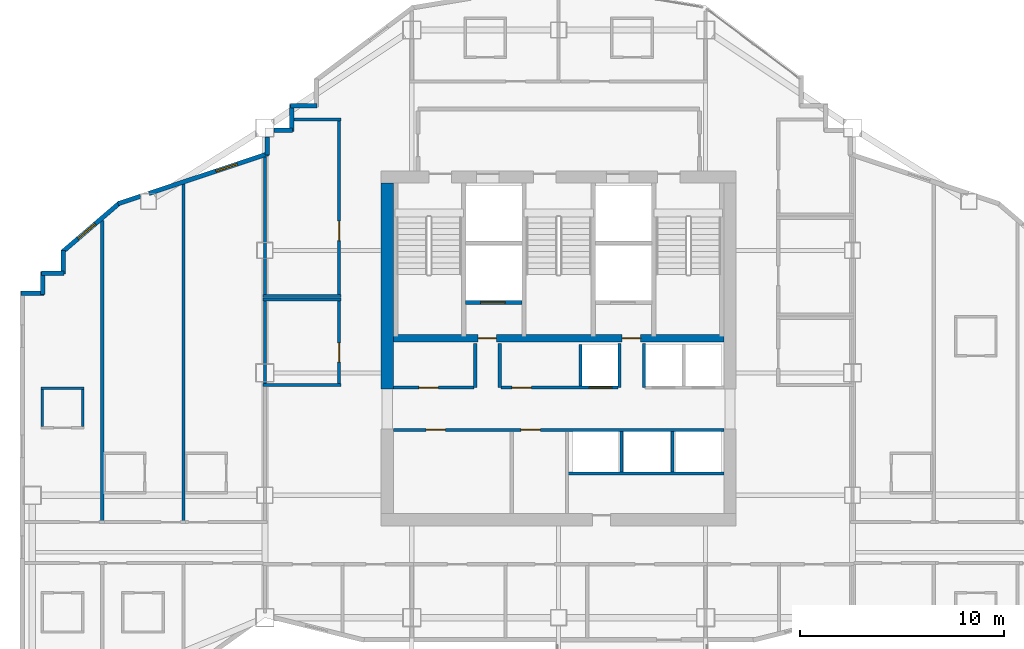
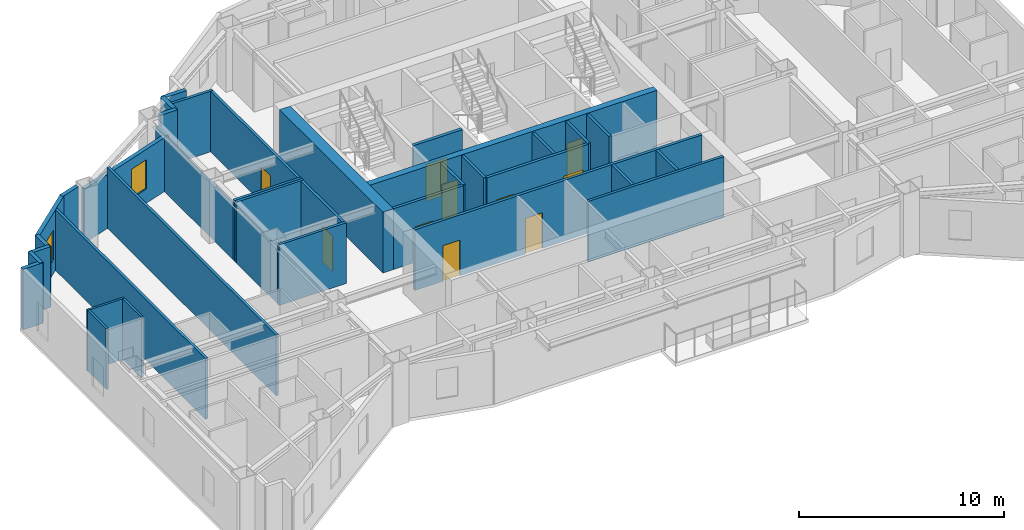
# One storey, part 6 of 11: 38 walls, 10 doors, 2 windows, 12 openings.
"""IFC4 building model written with IfcOpenShell, lengths in metres."""

from ifc_helpers import new_model, si_unit, direction, frame, frame_2d, origin, place, context, subcontext, project, spatial, rectangle, extrude, material, layer, layer_set, type_object, element, fill, save


model = new_model("IFC4")

# Units and contexts
model_context = context("Model", 3, precision=1e-05, world=origin(), true_north=direction((0.0, 1.0)))
body_context = subcontext(model_context, "Body", "Model", "MODEL_VIEW")
ifc_project = project(units=[si_unit("LENGTHUNIT", "METRE"), si_unit("AREAUNIT", "SQUARE_METRE"), si_unit("VOLUMEUNIT", "CUBIC_METRE"), si_unit("PLANEANGLEUNIT", "RADIAN"), si_unit("MASSUNIT", "GRAM", prefix="KILO")], contexts=[model_context])

# Site, building, storey
site_placement = place(None, origin())
site = spatial("IfcSite", under=ifc_project, at=site_placement, CompositionType="ELEMENT")
building_placement = place(site_placement, origin())
building = spatial("IfcBuilding", under=site, at=building_placement, Name="Haolan Belvedere Tower", CompositionType="ELEMENT")
storey_placement = place(building_placement, frame((0.0, 0.0, 188.0)))
storey = spatial("IfcBuildingStorey", under=building, at=storey_placement, Name="L47", CompositionType="ELEMENT", Elevation=188.0)

# Walls
ifc_material_1 = material(Name="Concrete C60/75", Category="concrete")
ifc_layer_1 = layer(ifc_material_1, 0.60009765625, Name="Concrete C60/75")
ifc_layer_set_1 = layer_set([ifc_layer_1], Name="Concrete C60/75")
wall_type_1 = type_object("IfcWallType", Name="WL-CORE-600", PredefinedType="SHEAR", material=ifc_layer_set_1)
wall_1_placement = place(storey_placement, frame((30.0, 32.800048828125, 0.0), z_axis=(0.0, 0.0, 1.0), x_axis=(0.0, 1.0, 0.0)))
element("IfcWall", 1, at=wall_1_placement, inside=storey, type_object=wall_type_1, Name="L47 central core shear wall WN", PredefinedType="SHEAR", context=body_context, shape_type="SweptSolid", body=[
    extrude(rectangle(XDim=10.099853515625, YDim=0.60009765625, at=frame_2d((5.0498046875, 0.0))), origin(), (0.0, 0.0, 1.0), 3.6201171875),
])
ifc_material_2 = material(Name="Precast concrete C40/50", Category="concrete")
ifc_layer_2 = layer(ifc_material_2, 0.219970703125, Name="Precast concrete C40/50")
ifc_layer_set_2 = layer_set([ifc_layer_2], Name="Precast concrete C40/50")
wall_type_2 = type_object("IfcWallType", Name="WL-EXT-220", PredefinedType="SOLIDWALL", material=ifc_layer_set_2)
for number, where, z_axis, x_axis, name in (
    (2, (26.56494140625, 46.68994140625, 0.0), (0.0, 0.0, 1.0), (-1.0, 0.0, 0.0), "L47 pale-metal exterior spandrel wall 25.1"),
    (3, (25.31005859375, 46.7451171875, 0.0), (0.0, 0.0, 1.0), (0.0, -1.0, 0.0), "L47 pale-metal exterior spandrel wall 26.1"),
):
    element("IfcWall", number, at=place(storey_placement, frame(where, z_axis=z_axis, x_axis=x_axis)), inside=storey, type_object=wall_type_2, Name=name, PredefinedType="SOLIDWALL", context=body_context, shape_type="SweptSolid", body=[
        extrude(rectangle(XDim=1.31005859375, YDim=0.219970703125, at=frame_2d((0.655029296875, 0.0))), origin(), (0.0, 0.0, 1.0), 3.6201171875),
    ])
wall_2_placement = place(storey_placement, frame((25.364990234375, 45.489990234375, 0.0), z_axis=(0.0, 0.0, 1.0), x_axis=(-1.0, 0.0, 0.0)))
element("IfcWall", 4, at=wall_2_placement, inside=storey, type_object=wall_type_2, Name="L47 pale-metal exterior spandrel wall 27.1", PredefinedType="SOLIDWALL", context=body_context, shape_type="SweptSolid", body=[
    extrude(rectangle(XDim=0.923095703125, YDim=0.219970703125, at=frame_2d((0.46142578125, 0.0))), origin(), (0.0, 0.0, 1.0), 3.6201171875),
])
wall_3_placement = place(storey_placement, frame((24.110107421875, 45.157958984375, 0.0), z_axis=(0.0, 0.0, 1.0), x_axis=(0.0, -1.0, 0.0)))
element("IfcWall", 5, at=wall_3_placement, inside=storey, type_object=wall_type_2, Name="L47 pale-metal exterior spandrel wall 28.1", PredefinedType="SOLIDWALL", context=body_context, shape_type="SweptSolid", body=[
    extrude(rectangle(XDim=0.892333984375, YDim=0.219970703125, at=frame_2d((0.4462890625, 0.0))), origin(), (0.0, 0.0, 1.0), 3.215087890625),
])

# Wall, opening, window
wall_4_placement = place(storey_placement, frame((24.162109375, 44.338134765625, 0.0), z_axis=(0.0, 0.0, 1.0), x_axis=(-0.948687265055, -0.316215864755, 0.0)))
wall_4 = element("IfcWall", 6, at=wall_4_placement, inside=storey, type_object=wall_type_2, Name="L47 pale-metal exterior spandrel wall 29.1", PredefinedType="SOLIDWALL", context=body_context, shape_type="SweptSolid", body=[
    extrude(rectangle(XDim=6.154052734375, YDim=0.219970703125, at=frame_2d((3.0771484375, 0.0))), origin(), (0.0, 0.0, 1.0), 3.215087890625),
])
opening_1_placement = place(wall_4_placement, frame((1.60009765625, 0.0, 0.85009765625)))
opening_1 = element("IfcOpeningElement", 7, at=opening_1_placement, cuts=wall_4, Name="Opening W-03", PredefinedType="OPENING", context=body_context, shape_type="SweptSolid", body=[
    extrude(rectangle(XDim=1.10009765625, YDim=1.75, at=frame_2d((0.550048828125, 0.875))), frame((0.0, 0.119873046875, 0.0), z_axis=(0.0, -1.0, 0.0), x_axis=(1.0, 0.0, 0.0)), (0.0, 0.0, 1.0), 0.239990234375),
])
ifc_material_3 = material(Name="Anodised aluminium 6063-T6 and Low-E glass", Category="aluminium")
window_type = type_object("IfcWindowType", Name="WN-DECO-Z3", PartitioningType="SINGLE_PANEL", PredefinedType="WINDOW", material=ifc_material_3)
window_1_placement = place(opening_1_placement, origin())
window_1 = element("IfcWindow", 8, at=window_1_placement, inside=storey, type_object=window_type, Name="L47 Art Deco chevron window 1", OverallHeight=1.75, OverallWidth=1.10009765625, PartitioningType="SINGLE_PANEL", PredefinedType="WINDOW", context=body_context, shape_type="SweptSolid", body=[
    extrude(rectangle(XDim=1.10009765625, YDim=1.75, at=frame_2d((0.550048828125, 0.875))), frame((0.0, 0.030029296875, 0.0), z_axis=(0.0, -1.0, 0.0), x_axis=(1.0, 0.0, 0.0)), (0.0, 0.0, 1.0), 0.06005859375),
])
fill(opening_1, window_1)

# Wall
wall_5_placement = place(storey_placement, frame((17.907958984375, 42.25341796875, 0.0), z_axis=(0.0, 0.0, 1.0), x_axis=(-0.948662335685, -0.316290646166, 0.0)))
element("IfcWall", 9, at=wall_5_placement, inside=storey, type_object=wall_type_2, Name="L47 pale-metal exterior spandrel wall 29.2", PredefinedType="SOLIDWALL", context=body_context, shape_type="SweptSolid", body=[
    extrude(rectangle(XDim=1.164794921875, YDim=0.219970703125, at=frame_2d((0.58251953125, 0.0))), origin(), (0.0, 0.0, 1.0), 3.6201171875),
])

# Wall, opening, window
wall_6_placement = place(storey_placement, frame((16.89697265625, 41.938232421875, 0.0), z_axis=(0.0, 0.0, 1.0), x_axis=(-0.759279729622, -0.650764390686, 0.0)))
wall_6 = element("IfcWall", 10, at=wall_6_placement, inside=storey, type_object=wall_type_2, Name="L47 pale-metal exterior spandrel wall 30.1", PredefinedType="SOLIDWALL", context=body_context, shape_type="SweptSolid", body=[
    extrude(rectangle(XDim=3.725830078125, YDim=0.219970703125, at=frame_2d((1.86279296875, 0.0))), origin(), (0.0, 0.0, 1.0), 3.6201171875),
])
opening_2_placement = place(wall_6_placement, frame((1.60009765625, 0.0, 0.85009765625)))
opening_2 = element("IfcOpeningElement", 11, at=opening_2_placement, cuts=wall_6, Name="Opening W-03", PredefinedType="OPENING", context=body_context, shape_type="SweptSolid", body=[
    extrude(rectangle(XDim=1.10009765625, YDim=1.75, at=frame_2d((0.550048828125, 0.875))), frame((0.0, 0.119873046875, 0.0), z_axis=(0.0, -1.0, 0.0), x_axis=(1.0, 0.0, 0.0)), (0.0, 0.0, 1.0), 0.239990234375),
])
window_2_placement = place(opening_2_placement, origin())
window_2 = element("IfcWindow", 12, at=window_2_placement, inside=storey, type_object=window_type, Name="L47 Art Deco chevron window 1", OverallHeight=1.75, OverallWidth=1.10009765625, PartitioningType="SINGLE_PANEL", PredefinedType="WINDOW", context=body_context, shape_type="SweptSolid", body=[
    extrude(rectangle(XDim=1.10009765625, YDim=1.75, at=frame_2d((0.550048828125, 0.875))), frame((0.0, 0.030029296875, 0.0), z_axis=(0.0, -1.0, 0.0), x_axis=(1.0, 0.0, 0.0)), (0.0, 0.0, 1.0), 0.06005859375),
])
fill(opening_2, window_2)

# Walls
wall_7_placement = place(storey_placement, frame((14.110107421875, 39.6044921875, 0.0), z_axis=(0.0, 0.0, 1.0), x_axis=(0.0, -1.0, 0.0)))
element("IfcWall", 13, at=wall_7_placement, inside=storey, type_object=wall_type_2, Name="L47 pale-metal exterior spandrel wall 31.1", PredefinedType="SOLIDWALL", context=body_context, shape_type="SweptSolid", body=[
    extrude(rectangle(XDim=1.16943359375, YDim=0.219970703125, at=frame_2d((0.584716796875, 0.0))), origin(), (0.0, 0.0, 1.0), 3.6201171875),
])
wall_8_placement = place(storey_placement, frame((14.1650390625, 38.489990234375, 0.0), z_axis=(0.0, 0.0, 1.0), x_axis=(-1.0, 0.0, 0.0)))
element("IfcWall", 14, at=wall_8_placement, inside=storey, type_object=wall_type_2, Name="L47 pale-metal exterior spandrel wall 32.1", PredefinedType="SOLIDWALL", context=body_context, shape_type="SweptSolid", body=[
    extrude(rectangle(XDim=1.110107421875, YDim=0.219970703125, at=frame_2d((0.55517578125, 0.0))), origin(), (0.0, 0.0, 1.0), 3.6201171875),
])
wall_9_placement = place(storey_placement, frame((13.110107421875, 38.544921875, 0.0), z_axis=(0.0, 0.0, 1.0), x_axis=(0.0, -1.0, 0.0)))
element("IfcWall", 15, at=wall_9_placement, inside=storey, type_object=wall_type_2, Name="L47 pale-metal exterior spandrel wall 33.1", PredefinedType="SOLIDWALL", context=body_context, shape_type="SweptSolid", body=[
    extrude(rectangle(XDim=1.10986328125, YDim=0.219970703125, at=frame_2d((0.554931640625, 0.0))), origin(), (0.0, 0.0, 1.0), 3.6201171875),
])
wall_10_placement = place(storey_placement, frame((13.1650390625, 37.489990234375, 0.0), z_axis=(0.0, 0.0, 1.0), x_axis=(-1.0, 0.0, 0.0)))
element("IfcWall", 16, at=wall_10_placement, inside=storey, type_object=wall_type_2, Name="L47 pale-metal exterior spandrel wall 34.1", PredefinedType="SOLIDWALL", context=body_context, shape_type="SweptSolid", body=[
    extrude(rectangle(XDim=1.110107421875, YDim=0.219970703125, at=frame_2d((0.55517578125, 0.0))), origin(), (0.0, 0.0, 1.0), 3.6201171875),
])
ifc_material_4 = material(Name="Double gypsum acoustic stud partition", Category="masonry")
ifc_layer_3 = layer(ifc_material_4, 0.14990234375, Name="Double gypsum acoustic stud partition")
ifc_layer_set_3 = layer_set([ifc_layer_3], Name="Double gypsum acoustic stud partition")
wall_type_3 = type_object("IfcWallType", Name="WL-PART-150", PredefinedType="PARTITIONING", material=ifc_layer_set_3)
wall_11_placement = place(storey_placement, frame((38.860107421875, 28.659912109375, 0.0), z_axis=(0.0, 0.0, 1.0), x_axis=(1.0, 0.0, 0.0)))
element("IfcWall", 17, at=wall_11_placement, inside=storey, type_object=wall_type_3, Name="L47 interior partition IW-L47-SSTRIP-E", PredefinedType="PARTITIONING", context=body_context, shape_type="SweptSolid", body=[
    extrude(rectangle(XDim=7.639892578125, YDim=0.14990234375, at=frame_2d((3.81982421875, 0.0))), origin(), (0.0, 0.0, 1.0), 3.6201171875),
])
for number, where, z_axis, x_axis, name in (
    (18, (23.919921875, 37.199951171875, 0.0), (0.0, 0.0, 1.0), (1.0, 0.0, 0.0), "L47 interior partition IW-L47-HSK-N"),
    (19, (23.919921875, 33.0, 0.0), (0.0, 0.0, 1.0), (1.0, 0.0, 0.0), "L47 interior partition IW-L47-HSK-S"),
):
    element("IfcWall", number, at=place(storey_placement, frame(where, z_axis=z_axis, x_axis=x_axis)), inside=storey, type_object=wall_type_3, Name=name, PredefinedType="PARTITIONING", context=body_context, shape_type="SweptSolid", body=[
        extrude(rectangle(XDim=3.800048828125, YDim=0.14990234375, at=frame_2d((1.89990234375, 0.0))), origin(), (0.0, 0.0, 1.0), 3.6201171875),
    ])
wall_12_placement = place(storey_placement, frame((24.0, 33.06005859375, 0.0), z_axis=(0.0, 0.0, 1.0), x_axis=(0.0, 1.0, 0.0)))
element("IfcWall", 20, at=wall_12_placement, inside=storey, type_object=wall_type_3, Name="L47 interior partition IW-L47-HSK-W", PredefinedType="PARTITIONING", context=body_context, shape_type="SweptSolid", body=[
    extrude(rectangle(XDim=4.079833984375, YDim=0.14990234375, at=frame_2d((2.0400390625, 0.0))), origin(), (0.0, 0.0, 1.0), 3.215087890625),
])

# Wall, opening, door
wall_13_placement = place(storey_placement, frame((27.639892578125, 33.06005859375, 0.0), z_axis=(0.0, 0.0, 1.0), x_axis=(0.0, 1.0, 0.0)))
wall_13 = element("IfcWall", 21, at=wall_13_placement, inside=storey, type_object=wall_type_3, Name="L47 interior partition IW-L47-HSK-E", PredefinedType="PARTITIONING", context=body_context, shape_type="SweptSolid", body=[
    extrude(rectangle(XDim=4.079833984375, YDim=0.14990234375, at=frame_2d((2.0400390625, 0.0))), origin(), (0.0, 0.0, 1.0), 3.6201171875),
])
opening_3_placement = place(wall_13_placement, frame((2.010009765625, 0.0, 0.0), z_axis=(0.0, 0.0, 1.0), x_axis=(-1.0, 0.0, 0.0)))
opening_3 = element("IfcOpeningElement", 22, at=opening_3_placement, cuts=wall_13, Name="Opening ID-03", PredefinedType="OPENING", context=body_context, shape_type="SweptSolid", body=[
    extrude(rectangle(XDim=0.949951171875, YDim=2.1201171875, at=frame_2d((0.47509765625, 1.06005859375))), frame((0.0, 0.0849609375, 0.0), z_axis=(0.0, -1.0, 0.0), x_axis=(1.0, 0.0, 0.0)), (0.0, 0.0, 1.0), 0.169921875),
])
ifc_material_5 = material(Name="Painted solid-core timber", Category="wood")
door_type_1 = type_object("IfcDoorType", Name="DR-INT-950", OperationType="NOTDEFINED", PredefinedType="DOOR", material=ifc_material_5)
door_1_placement = place(opening_3_placement, origin())
door_1 = element("IfcDoor", 23, at=door_1_placement, inside=storey, type_object=door_type_1, Name="L47 door ID-L47-HSK", OperationType="SINGLE_SWING_LEFT", OverallHeight=2.1201171875, OverallWidth=0.949951171875, PredefinedType="DOOR", context=body_context, shape_type="SweptSolid", body=[
    extrude(rectangle(XDim=0.949951171875, YDim=2.1201171875, at=frame_2d((0.47509765625, 1.06005859375))), frame((0.0, 0.02490234375, 0.0), z_axis=(0.0, -1.0, 0.0), x_axis=(1.0, 0.0, 0.0)), (0.0, 0.0, 1.0), 0.050048828125),
])
fill(opening_3, door_1)

# Walls
wall_14_placement = place(storey_placement, frame((25.412109375, 46.02001953125, 0.0), z_axis=(0.0, 0.0, 1.0), x_axis=(1.0, 0.0, 0.0)))
element("IfcWall", 24, at=wall_14_placement, inside=storey, type_object=wall_type_3, Name="L47 interior partition IW-L47-MTG-N", PredefinedType="PARTITIONING", context=body_context, shape_type="SweptSolid", body=[
    extrude(rectangle(XDim=2.307861328125, YDim=0.14990234375, at=frame_2d((1.15380859375, 0.0))), origin(), (0.0, 0.0, 1.0), 3.6201171875),
])
wall_15_placement = place(storey_placement, frame((23.919921875, 37.360107421875, 0.0), z_axis=(0.0, 0.0, 1.0), x_axis=(1.0, 0.0, 0.0)))
element("IfcWall", 25, at=wall_15_placement, inside=storey, type_object=wall_type_3, Name="L47 interior partition IW-L47-MTG-S", PredefinedType="PARTITIONING", context=body_context, shape_type="SweptSolid", body=[
    extrude(rectangle(XDim=3.800048828125, YDim=0.14990234375, at=frame_2d((1.89990234375, 0.0))), origin(), (0.0, 0.0, 1.0), 3.6201171875),
])
wall_16_placement = place(storey_placement, frame((24.0, 37.419921875, 0.0), z_axis=(0.0, 0.0, 1.0), x_axis=(0.0, 1.0, 0.0)))
element("IfcWall", 26, at=wall_16_placement, inside=storey, type_object=wall_type_3, Name="L47 interior partition IW-L47-MTG-W", PredefinedType="PARTITIONING", context=body_context, shape_type="SweptSolid", body=[
    extrude(rectangle(XDim=6.756591796875, YDim=0.14990234375, at=frame_2d((3.37841796875, 0.0))), origin(), (0.0, 0.0, 1.0), 3.215087890625),
])

# Wall, opening, door
wall_17_placement = place(storey_placement, frame((27.639892578125, 37.419921875, 0.0), z_axis=(0.0, 0.0, 1.0), x_axis=(0.0, 1.0, 0.0)))
wall_17 = element("IfcWall", 27, at=wall_17_placement, inside=storey, type_object=wall_type_3, Name="L47 interior partition IW-L47-MTG-E", PredefinedType="PARTITIONING", context=body_context, shape_type="SweptSolid", body=[
    extrude(rectangle(XDim=8.5400390625, YDim=0.14990234375, at=frame_2d((4.27001953125, 0.0))), origin(), (0.0, 0.0, 1.0), 3.6201171875),
])
opening_4_placement = place(wall_17_placement, frame((3.60986328125, 0.0, 0.0), z_axis=(0.0, 0.0, 1.0), x_axis=(-1.0, 0.0, 0.0)))
opening_4 = element("IfcOpeningElement", 28, at=opening_4_placement, cuts=wall_17, Name="Opening ID-03", PredefinedType="OPENING", context=body_context, shape_type="SweptSolid", body=[
    extrude(rectangle(XDim=0.949951171875, YDim=2.1201171875, at=frame_2d((0.47509765625, 1.06005859375))), frame((0.0, 0.0849609375, 0.0), z_axis=(0.0, -1.0, 0.0), x_axis=(1.0, 0.0, 0.0)), (0.0, 0.0, 1.0), 0.169921875),
])
door_2_placement = place(opening_4_placement, origin())
door_2 = element("IfcDoor", 29, at=door_2_placement, inside=storey, type_object=door_type_1, Name="L47 door ID-L47-MTG", OperationType="SINGLE_SWING_RIGHT", OverallHeight=2.1201171875, OverallWidth=0.949951171875, PredefinedType="DOOR", context=body_context, shape_type="SweptSolid", body=[
    extrude(rectangle(XDim=0.949951171875, YDim=2.1201171875, at=frame_2d((0.47509765625, 1.06005859375))), frame((0.0, 0.02490234375, 0.0), z_axis=(0.0, -1.0, 0.0), x_axis=(1.0, 0.0, 0.0)), (0.0, 0.0, 1.0), 0.050048828125),
])
fill(opening_4, door_2)

# Walls
wall_18_placement = place(storey_placement, frame((16.030029296875, 26.340087890625, 0.0), z_axis=(0.0, 0.0, 1.0), x_axis=(0.0, 1.0, 0.0)))
element("IfcWall", 30, at=wall_18_placement, inside=storey, type_object=wall_type_3, Name="L47 interior partition IW-L47-T2N1-E", PredefinedType="PARTITIONING", context=body_context, shape_type="SweptSolid", body=[
    extrude(rectangle(XDim=14.720703125, YDim=0.14990234375, at=frame_2d((7.3603515625, 0.0))), origin(), (0.0, 0.0, 1.0), 3.6201171875),
])
wall_19_placement = place(storey_placement, frame((20.02001953125, 26.340087890625, 0.0), z_axis=(0.0, 0.0, 1.0), x_axis=(0.0, 1.0, 0.0)))
element("IfcWall", 31, at=wall_19_placement, inside=storey, type_object=wall_type_3, Name="L47 interior partition IW-L47-T2N2-E", PredefinedType="PARTITIONING", context=body_context, shape_type="SweptSolid", body=[
    extrude(rectangle(XDim=16.509765625, YDim=0.14990234375, at=frame_2d((8.2548828125, 0.0))), origin(), (0.0, 0.0, 1.0), 3.6201171875),
])
ifc_material_6 = material(Name="Gypsum fire shaftwall assembly", Category="masonry")
ifc_layer_4 = layer(ifc_material_6, 0.1650390625, Name="Gypsum fire shaftwall assembly")
ifc_layer_set_4 = layer_set([ifc_layer_4], Name="Gypsum fire shaftwall assembly")
wall_type_4 = type_object("IfcWallType", Name="WL-SHAFT-160", PredefinedType="SOLIDWALL", material=ifc_layer_set_4)
for number, where, z_axis, x_axis, name in (
    (32, (34.31005859375, 32.8798828125, 0.0), (0.0, 0.0, 1.0), (0.0, 1.0, 0.0), "L47 interior partition IW-L47-SVP-W-SV1"),
    (33, (35.510009765625, 32.8798828125, 0.0), (0.0, 0.0, 1.0), (0.0, 1.0, 0.0), "L47 interior partition IW-L47-SVP-E-SV1"),
    (34, (41.3701171875, 32.8798828125, 0.0), (0.0, 0.0, 1.0), (0.0, 1.0, 0.0), "L47 interior partition IW-L47-SVP-W-SV2"),
    (35, (42.570068359375, 32.8798828125, 0.0), (0.0, 0.0, 1.0), (0.0, 1.0, 0.0), "L47 interior partition IW-L47-SVP-E-SV2"),
):
    element("IfcWall", number, at=place(storey_placement, frame(where, z_axis=z_axis, x_axis=x_axis)), inside=storey, type_object=wall_type_4, Name=name, PredefinedType="SOLIDWALL", context=body_context, shape_type="SweptSolid", body=[
        extrude(rectangle(XDim=2.170166015625, YDim=0.14990234375, at=frame_2d((1.0849609375, 0.0))), origin(), (0.0, 0.0, 1.0), 3.6201171875),
    ])

# Wall, opening, door
wall_20_placement = place(storey_placement, frame((30.300048828125, 32.8798828125, 0.0), z_axis=(0.0, 0.0, 1.0), x_axis=(1.0, 0.0, 0.0)))
wall_20 = element("IfcWall", 36, at=wall_20_placement, inside=storey, type_object=wall_type_4, Name="L47 interior partition IW-L47-ROW-PN1", PredefinedType="SOLIDWALL", context=body_context, shape_type="SweptSolid", body=[
    extrude(rectangle(XDim=3.949951171875, YDim=0.159912109375, at=frame_2d((1.97509765625, 0.0))), origin(), (0.0, 0.0, 1.0), 3.6201171875),
])
opening_5_placement = place(wall_20_placement, frame((2.199951171875, 0.0, 0.0), z_axis=(0.0, 0.0, 1.0), x_axis=(-1.0, 0.0, 0.0)))
opening_5 = element("IfcOpeningElement", 37, at=opening_5_placement, cuts=wall_20, Name="Opening ID-03", PredefinedType="OPENING", context=body_context, shape_type="SweptSolid", body=[
    extrude(rectangle(XDim=0.949951171875, YDim=2.1201171875, at=frame_2d((0.47509765625, 1.06005859375))), frame((0.0, 0.08984375, 0.0), z_axis=(0.0, -1.0, 0.0), x_axis=(1.0, 0.0, 0.0)), (0.0, 0.0, 1.0), 0.179931640625),
])
door_3_placement = place(opening_5_placement, origin())
door_3 = element("IfcDoor", 38, at=door_3_placement, inside=storey, type_object=door_type_1, Name="L47 door ID-L47-CD-RPLW", OperationType="SINGLE_SWING_LEFT", OverallHeight=2.1201171875, OverallWidth=0.949951171875, PredefinedType="DOOR", context=body_context, shape_type="SweptSolid", body=[
    extrude(rectangle(XDim=0.949951171875, YDim=2.1201171875, at=frame_2d((0.47509765625, 1.06005859375))), frame((0.0, 0.02490234375, 0.0), z_axis=(0.0, -1.0, 0.0), x_axis=(1.0, 0.0, 0.0)), (0.0, 0.0, 1.0), 0.050048828125),
])
fill(opening_5, door_3)

# Wall, openings, doors
wall_21_placement = place(storey_placement, frame((35.570068359375, 32.8798828125, 0.0), z_axis=(0.0, 0.0, 1.0), x_axis=(1.0, 0.0, 0.0)))
wall_21 = element("IfcWall", 39, at=wall_21_placement, inside=storey, type_object=wall_type_4, Name="L47 interior partition IW-L47-ROW-PN2", PredefinedType="SOLIDWALL", context=body_context, shape_type="SweptSolid", body=[
    extrude(rectangle(XDim=5.739990234375, YDim=0.159912109375, at=frame_2d((2.8701171875, 0.0))), origin(), (0.0, 0.0, 1.0), 3.6201171875),
])
opening_6_placement = place(wall_21_placement, frame((1.489990234375, 0.0, 0.0), z_axis=(0.0, 0.0, 1.0), x_axis=(-1.0, 0.0, 0.0)))
opening_6 = element("IfcOpeningElement", 40, at=opening_6_placement, cuts=wall_21, Name="Opening ID-03", PredefinedType="OPENING", context=body_context, shape_type="SweptSolid", body=[
    extrude(rectangle(XDim=0.949951171875, YDim=2.1201171875, at=frame_2d((0.47509765625, 1.06005859375))), frame((0.0, 0.08984375, 0.0), z_axis=(0.0, -1.0, 0.0), x_axis=(1.0, 0.0, 0.0)), (0.0, 0.0, 1.0), 0.179931640625),
])
opening_7_placement = place(wall_21_placement, frame((5.43017578125, 0.0, 0.0), z_axis=(0.0, 0.0, 1.0), x_axis=(-1.0, 0.0, 0.0)))
opening_7 = element("IfcOpeningElement", 41, at=opening_7_placement, cuts=wall_21, Name="Opening LD-01", PredefinedType="OPENING", context=body_context, shape_type="SweptSolid", body=[
    extrude(rectangle(XDim=1.10009765625, YDim=2.199951171875, at=frame_2d((0.550048828125, 1.10009765625))), frame((0.0, 0.08984375, 0.0), z_axis=(0.0, -1.0, 0.0), x_axis=(1.0, 0.0, 0.0)), (0.0, 0.0, 1.0), 0.179931640625),
])
door_4_placement = place(opening_6_placement, origin())
door_4 = element("IfcDoor", 42, at=door_4_placement, inside=storey, type_object=door_type_1, Name="L47 door ID-L47-CD-RPLE", OperationType="SINGLE_SWING_RIGHT", OverallHeight=2.1201171875, OverallWidth=0.949951171875, PredefinedType="DOOR", context=body_context, shape_type="SweptSolid", body=[
    extrude(rectangle(XDim=0.949951171875, YDim=2.1201171875, at=frame_2d((0.47509765625, 1.06005859375))), frame((0.0, 0.02490234375, 0.0), z_axis=(0.0, -1.0, 0.0), x_axis=(1.0, 0.0, 0.0)), (0.0, 0.0, 1.0), 0.050048828125),
])
fill(opening_6, door_4)
ifc_material_7 = material(Name="Brushed champagne stainless steel 316L", Category="steel")
door_type_2 = type_object("IfcDoorType", Name="DR-LIFT-1100", OperationType="SLIDING_TO_LEFT", PredefinedType="DOOR", material=ifc_material_7)
door_5_placement = place(opening_7_placement, origin())
door_5 = element("IfcDoor", 43, at=door_5_placement, inside=storey, type_object=door_type_2, Name="L47 door ID-L47-LD-PH1", OperationType="SLIDING_TO_RIGHT", OverallHeight=2.199951171875, OverallWidth=1.10009765625, PredefinedType="DOOR", context=body_context, shape_type="SweptSolid", body=[
    extrude(rectangle(XDim=1.10009765625, YDim=2.199951171875, at=frame_2d((0.550048828125, 1.10009765625))), frame((0.0, 0.02490234375, 0.0), z_axis=(0.0, -1.0, 0.0), x_axis=(1.0, 0.0, 0.0)), (0.0, 0.0, 1.0), 0.050048828125),
])
fill(opening_7, door_5)

# Wall
wall_22_placement = place(storey_placement, frame((39.469970703125, 32.949951171875, 0.0), z_axis=(0.0, 0.0, 1.0), x_axis=(0.0, 1.0, 0.0)))
element("IfcWall", 44, at=wall_22_placement, inside=storey, type_object=wall_type_4, Name="L47 interior partition IW-L47-DIV-PL4R", PredefinedType="SOLIDWALL", context=body_context, shape_type="SweptSolid", body=[
    extrude(rectangle(XDim=2.050048828125, YDim=0.14990234375, at=frame_2d((1.02490234375, 0.0))), origin(), (0.0, 0.0, 1.0), 3.6201171875),
])

# Wall, openings, doors
wall_23_placement = place(storey_placement, frame((30.300048828125, 30.800048828125, 0.0), z_axis=(0.0, 0.0, 1.0), x_axis=(1.0, 0.0, 0.0)))
wall_23 = element("IfcWall", 45, at=wall_23_placement, inside=storey, type_object=wall_type_4, Name="L47 interior partition IW-L47-ROW-PS", PredefinedType="SOLIDWALL", context=body_context, shape_type="SweptSolid", body=[
    extrude(rectangle(XDim=16.199951171875, YDim=0.159912109375, at=frame_2d((8.10009765625, 0.0))), origin(), (0.0, 0.0, 1.0), 3.6201171875),
])
opening_8_placement = place(wall_23_placement, frame((1.60009765625, 0.0, 0.0)))
opening_8 = element("IfcOpeningElement", 46, at=opening_8_placement, cuts=wall_23, Name="Opening ID-03", PredefinedType="OPENING", context=body_context, shape_type="SweptSolid", body=[
    extrude(rectangle(XDim=0.949951171875, YDim=2.1201171875, at=frame_2d((0.47509765625, 1.06005859375))), frame((0.0, 0.08984375, 0.0), z_axis=(0.0, -1.0, 0.0), x_axis=(1.0, 0.0, 0.0)), (0.0, 0.0, 1.0), 0.179931640625),
])
opening_9_placement = place(wall_23_placement, frame((6.25, 0.0, 0.0)))
opening_9 = element("IfcOpeningElement", 47, at=opening_9_placement, cuts=wall_23, Name="Opening ID-03", PredefinedType="OPENING", context=body_context, shape_type="SweptSolid", body=[
    extrude(rectangle(XDim=0.949951171875, YDim=2.1201171875, at=frame_2d((0.47509765625, 1.06005859375))), frame((0.0, 0.08984375, 0.0), z_axis=(0.0, -1.0, 0.0), x_axis=(1.0, 0.0, 0.0)), (0.0, 0.0, 1.0), 0.179931640625),
])
door_6_placement = place(opening_8_placement, origin())
door_6 = element("IfcDoor", 48, at=door_6_placement, inside=storey, type_object=door_type_1, Name="L47 door ID-L47-CD-RPMA", OperationType="SINGLE_SWING_LEFT", OverallHeight=2.1201171875, OverallWidth=0.949951171875, PredefinedType="DOOR", context=body_context, shape_type="SweptSolid", body=[
    extrude(rectangle(XDim=0.949951171875, YDim=2.1201171875, at=frame_2d((0.47509765625, 1.06005859375))), frame((0.0, 0.02490234375, 0.0), z_axis=(0.0, -1.0, 0.0), x_axis=(1.0, 0.0, 0.0)), (0.0, 0.0, 1.0), 0.050048828125),
])
fill(opening_8, door_6)
door_7_placement = place(opening_9_placement, origin())
door_7 = element("IfcDoor", 49, at=door_7_placement, inside=storey, type_object=door_type_1, Name="L47 door ID-L47-CD-RPMB", OperationType="SINGLE_SWING_RIGHT", OverallHeight=2.1201171875, OverallWidth=0.949951171875, PredefinedType="DOOR", context=body_context, shape_type="SweptSolid", body=[
    extrude(rectangle(XDim=0.949951171875, YDim=2.1201171875, at=frame_2d((0.47509765625, 1.06005859375))), frame((0.0, 0.02490234375, 0.0), z_axis=(0.0, -1.0, 0.0), x_axis=(1.0, 0.0, 0.0)), (0.0, 0.0, 1.0), 0.050048828125),
])
fill(opening_9, door_7)

# Walls
for number, where, z_axis, x_axis, name in (
    (50, (41.469970703125, 28.75, 0.0), (0.0, 0.0, 1.0), (0.0, 1.0, 0.0), "L47 interior partition IW-L47-DIV-OB1"),
    (51, (43.97998046875, 28.75, 0.0), (0.0, 0.0, 1.0), (0.0, 1.0, 0.0), "L47 interior partition IW-L47-DIV-OB2"),
):
    element("IfcWall", number, at=place(storey_placement, frame(where, z_axis=z_axis, x_axis=x_axis)), inside=storey, type_object=wall_type_4, Name=name, PredefinedType="SOLIDWALL", context=body_context, shape_type="SweptSolid", body=[
        extrude(rectangle(XDim=1.985107421875, YDim=0.14990234375, at=frame_2d((0.99267578125, 0.0))), origin(), (0.0, 0.0, 1.0), 3.6201171875),
    ])

# Wall, opening, door
ifc_layer_5 = layer(ifc_material_2, 0.179931640625, Name="Precast concrete C40/50")
ifc_layer_set_5 = layer_set([ifc_layer_5], Name="Precast concrete C40/50")
wall_type_5 = type_object("IfcWallType", Name="WL-SHAFT-180", PredefinedType="SOLIDWALL", material=ifc_layer_set_5)
wall_24_placement = place(storey_placement, frame((33.8349609375, 37.050048828125, 0.0), z_axis=(0.0, 0.0, 1.0), x_axis=(1.0, 0.0, 0.0)))
wall_24 = element("IfcWall", 52, at=wall_24_placement, inside=storey, type_object=wall_type_5, Name="L47 interior partition IW-L47-SV1-S", PredefinedType="SOLIDWALL", context=body_context, shape_type="SweptSolid", body=[
    extrude(rectangle(XDim=2.77001953125, YDim=0.179931640625, at=frame_2d((1.385009765625, 0.0))), origin(), (0.0, 0.0, 1.0), 3.6201171875),
])
opening_10_placement = place(wall_24_placement, frame((1.945068359375, 0.0, 0.0), z_axis=(0.0, 0.0, 1.0), x_axis=(-1.0, 0.0, 0.0)))
opening_10 = element("IfcOpeningElement", 53, at=opening_10_placement, cuts=wall_24, Name="Opening LD-02", PredefinedType="OPENING", context=body_context, shape_type="SweptSolid", body=[
    extrude(rectangle(XDim=1.199951171875, YDim=2.199951171875, at=frame_2d((0.60009765625, 1.10009765625))), frame((0.0, 0.099853515625, 0.0), z_axis=(0.0, -1.0, 0.0), x_axis=(1.0, 0.0, 0.0)), (0.0, 0.0, 1.0), 0.199951171875),
])
door_type_3 = type_object("IfcDoorType", Name="DR-LIFT-1200", OperationType="SLIDING_TO_RIGHT", PredefinedType="DOOR", material=ifc_material_7)
door_8_placement = place(opening_10_placement, origin())
door_8 = element("IfcDoor", 54, at=door_8_placement, inside=storey, type_object=door_type_3, Name="L47 door ID-L47-LD-SV1", OperationType="SLIDING_TO_RIGHT", OverallHeight=2.199951171875, OverallWidth=1.199951171875, PredefinedType="DOOR", context=body_context, shape_type="SweptSolid", body=[
    extrude(rectangle(XDim=1.199951171875, YDim=2.199951171875, at=frame_2d((0.60009765625, 1.10009765625))), frame((0.0, 0.02490234375, 0.0), z_axis=(0.0, -1.0, 0.0), x_axis=(1.0, 0.0, 0.0)), (0.0, 0.0, 1.0), 0.050048828125),
])
fill(opening_10, door_8)

# Wall, openings, doors
ifc_layer_6 = layer(ifc_material_1, 0.360107421875, Name="Concrete C60/75")
ifc_layer_set_6 = layer_set([ifc_layer_6], Name="Concrete C60/75")
wall_type_6 = type_object("IfcWallType", Name="WL-WEB-350", PredefinedType="SHEAR", material=ifc_layer_set_6)
wall_25_placement = place(storey_placement, frame((30.300048828125, 35.2900390625, 0.0), z_axis=(0.0, 0.0, 1.0), x_axis=(1.0, 0.0, 0.0)))
wall_25 = element("IfcWall", 55, at=wall_25_placement, inside=storey, type_object=wall_type_6, Name="L47 central core internal shear web", PredefinedType="SHEAR", context=body_context, shape_type="SweptSolid", body=[
    extrude(rectangle(XDim=16.199951171875, YDim=0.360107421875, at=frame_2d((8.10009765625, 0.0))), origin(), (0.0, 0.0, 1.0), 3.6201171875),
])
opening_11_placement = place(wall_25_placement, frame((5.0498046875, 0.0, 0.0), z_axis=(0.0, 0.0, 1.0), x_axis=(-1.0, 0.0, 0.0)))
opening_11 = element("IfcOpeningElement", 56, at=opening_11_placement, cuts=wall_25, Name="Opening FD-05", PredefinedType="OPENING", context=body_context, shape_type="SweptSolid", body=[
    extrude(rectangle(XDim=0.89990234375, YDim=2.10009765625, at=frame_2d((0.449951171875, 1.050048828125))), frame((0.0, 0.18994140625, 0.0), z_axis=(0.0, -1.0, 0.0), x_axis=(1.0, 0.0, 0.0)), (0.0, 0.0, 1.0), 0.380126953125),
])
opening_12_placement = place(wall_25_placement, frame((12.10986328125, 0.0, 0.0), z_axis=(0.0, 0.0, 1.0), x_axis=(-1.0, 0.0, 0.0)))
opening_12 = element("IfcOpeningElement", 57, at=opening_12_placement, cuts=wall_25, Name="Opening FD-05", PredefinedType="OPENING", context=body_context, shape_type="SweptSolid", body=[
    extrude(rectangle(XDim=0.89990234375, YDim=2.10009765625, at=frame_2d((0.449951171875, 1.050048828125))), frame((0.0, 0.18994140625, 0.0), z_axis=(0.0, -1.0, 0.0), x_axis=(1.0, 0.0, 0.0)), (0.0, 0.0, 1.0), 0.380126953125),
])
ifc_material_8 = material(Name="Galvanised fire-rated steel", Category="steel")
door_type_4 = type_object("IfcDoorType", Name="DR-FD60-900", OperationType="NOTDEFINED", PredefinedType="DOOR", material=ifc_material_8)
door_9_placement = place(opening_11_placement, origin())
door_9 = element("IfcDoor", 58, at=door_9_placement, inside=storey, type_object=door_type_4, Name="L47 door CD-L47-SVL-SV1", OperationType="SINGLE_SWING_RIGHT", OverallHeight=2.10009765625, OverallWidth=0.89990234375, PredefinedType="DOOR", context=body_context, shape_type="SweptSolid", body=[
    extrude(rectangle(XDim=0.89990234375, YDim=2.10009765625, at=frame_2d((0.449951171875, 1.050048828125))), frame((0.0, 0.02490234375, 0.0), z_axis=(0.0, -1.0, 0.0), x_axis=(1.0, 0.0, 0.0)), (0.0, 0.0, 1.0), 0.050048828125),
])
fill(opening_11, door_9)
door_10_placement = place(opening_12_placement, origin())
door_10 = element("IfcDoor", 59, at=door_10_placement, inside=storey, type_object=door_type_4, Name="L47 door CD-L47-SVL-SV2", OperationType="SINGLE_SWING_RIGHT", OverallHeight=2.10009765625, OverallWidth=0.89990234375, PredefinedType="DOOR", context=body_context, shape_type="SweptSolid", body=[
    extrude(rectangle(XDim=0.89990234375, YDim=2.10009765625, at=frame_2d((0.449951171875, 1.050048828125))), frame((0.0, 0.02490234375, 0.0), z_axis=(0.0, -1.0, 0.0), x_axis=(1.0, 0.0, 0.0)), (0.0, 0.0, 1.0), 0.050048828125),
])
fill(opening_12, door_10)

# Walls
ifc_material_9 = material(Name="Moisture-resistant gypsum tile partition", Category="masonry")
ifc_layer_7 = layer(ifc_material_9, 0.1201171875, Name="Moisture-resistant gypsum tile partition")
ifc_layer_set_7 = layer_set([ifc_layer_7], Name="Moisture-resistant gypsum tile partition")
wall_type_7 = type_object("IfcWallType", Name="WL-WET-120", PredefinedType="PARTITIONING", material=ifc_layer_set_7)
wall_26_placement = place(storey_placement, frame((13.030029296875, 32.8349609375, 0.0), z_axis=(0.0, 0.0, 1.0), x_axis=(1.0, 0.0, 0.0)))
element("IfcWall", 60, at=wall_26_placement, inside=storey, type_object=wall_type_7, Name="L47 interior partition IW-L47-T2N1-BN", PredefinedType="PARTITIONING", context=body_context, shape_type="SweptSolid", body=[
    extrude(rectangle(XDim=2.099853515625, YDim=0.1201171875, at=frame_2d((1.0498046875, 0.0))), origin(), (0.0, 0.0, 1.0), 3.6201171875),
])
for number, where, z_axis, x_axis, name in (
    (61, (13.090087890625, 30.9599609375, 0.0), (0.0, 0.0, 1.0), (0.0, 1.0, 0.0), "L47 interior partition IW-L47-T2N1-BW"),
    (62, (15.070068359375, 30.9599609375, 0.0), (0.0, 0.0, 1.0), (0.0, 1.0, 0.0), "L47 interior partition IW-L47-T2N1-BE"),
):
    element("IfcWall", number, at=place(storey_placement, frame(where, z_axis=z_axis, x_axis=x_axis)), inside=storey, type_object=wall_type_7, Name=name, PredefinedType="PARTITIONING", context=body_context, shape_type="SweptSolid", body=[
        extrude(rectangle(XDim=1.830078125, YDim=0.1201171875, at=frame_2d((0.9150390625, 0.0))), origin(), (0.0, 0.0, 1.0), 3.6201171875),
    ])

save(model, "model.ifc")
